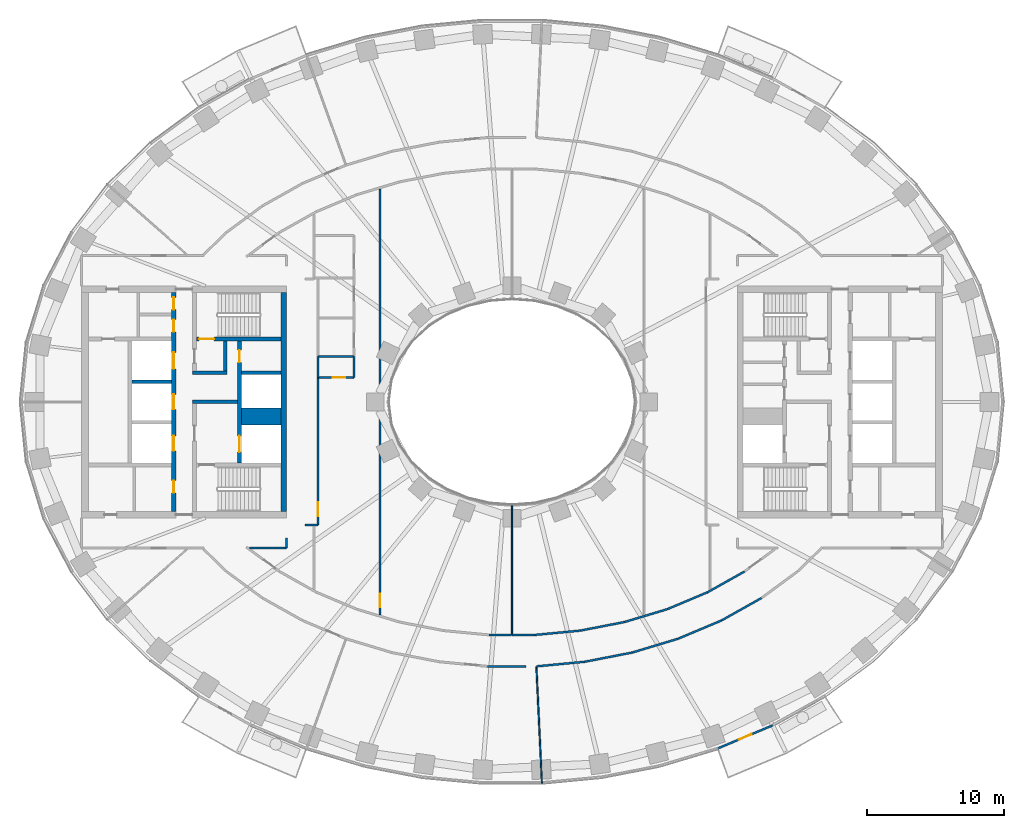
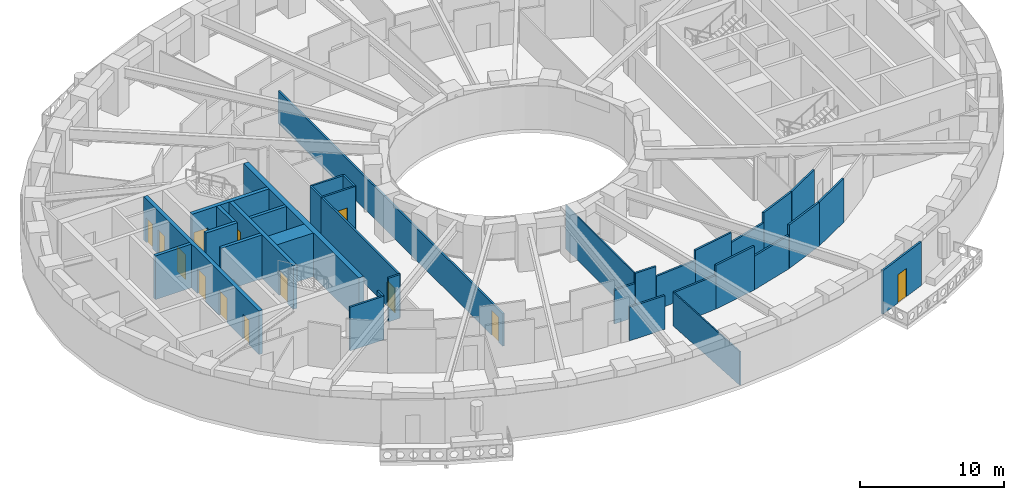
# One storey, part 4 of 16: 35 walls, 13 doors, 13 openings.
"""IFC4 building model written with IfcOpenShell, lengths in metres."""

from ifc_helpers import new_model, si_unit, direction, frame, frame_2d, origin, place, context, subcontext, project, spatial, rectangle, extrude, material, layer, layer_set, type_object, element, fill, save


model = new_model("IFC4")

# Units and contexts
model_context = context("Model", 3, precision=1e-05, world=origin(), true_north=direction((0.0, 1.0)))
body_context = subcontext(model_context, "Body", "Model", "MODEL_VIEW")
ifc_project = project(units=[si_unit("LENGTHUNIT", "METRE"), si_unit("AREAUNIT", "SQUARE_METRE"), si_unit("VOLUMEUNIT", "CUBIC_METRE"), si_unit("PLANEANGLEUNIT", "RADIAN"), si_unit("MASSUNIT", "GRAM", prefix="KILO")], contexts=[model_context])

# Site, building, storey
site_placement = place(None, origin())
site = spatial("IfcSite", under=ifc_project, at=site_placement, CompositionType="ELEMENT")
building_placement = place(site_placement, origin())
building = spatial("IfcBuilding", under=site, at=building_placement, Name="Noorbagh Ring Tower", CompositionType="ELEMENT")
storey_placement = place(building_placement, frame((0.0, 0.0, 74.5)))
storey = spatial("IfcBuildingStorey", under=building, at=storey_placement, Name="L16", CompositionType="ELEMENT", Elevation=74.5)

# Wall
ifc_material_1 = material(Name="Gypsum board on steel studs", Category="steel")
ifc_layer_1 = layer(ifc_material_1, 0.14990234375)
ifc_layer_set_1 = layer_set([ifc_layer_1], Name="Gypsum board on steel studs")
wall_type_1 = type_object("IfcWallType", Name="COMPARTMENT PARTITION 150 EI 60", PredefinedType="PARTITIONING", material=ifc_layer_set_1)
wall_1_placement = place(storey_placement, frame((-14.199951171875, 1.781982421875, 0.0), z_axis=(0.0, 0.0, 1.0), x_axis=(0.0, 1.0, 0.0)))
element("IfcWall", 1, at=wall_1_placement, inside=storey, type_object=wall_type_1, Name="L16/wall/P35", PredefinedType="PARTITIONING", context=body_context, shape_type="SweptSolid", body=[
    extrude(rectangle(XDim=1.56005859375, YDim=0.14990234375, at=frame_2d((0.780029296875, 0.0))), origin(), (0.0, 0.0, 1.0), 3.699951171875),
])

# Wall, opening, door
wall_2_placement = place(storey_placement, frame((-14.199951171875, 1.781982421875, 0.0), z_axis=(0.0, 0.0, 1.0), x_axis=(1.0, 0.0, 0.0)))
wall_2 = element("IfcWall", 2, at=wall_2_placement, inside=storey, type_object=wall_type_1, Name="L16/wall/P36", PredefinedType="PARTITIONING", context=body_context, shape_type="SweptSolid", body=[
    extrude(rectangle(XDim=2.635009765625, YDim=0.14990234375, at=frame_2d((1.3173828125, 0.0))), origin(), (0.0, 0.0, 1.0), 3.699951171875),
])
opening_1_placement = place(wall_2_placement, frame((1.0849609375, 0.0, 0.0)))
opening_1 = element("IfcOpeningElement", 3, at=opening_1_placement, cuts=wall_2, Name="Opening D4", PredefinedType="OPENING", context=body_context, shape_type="SweptSolid", body=[
    extrude(rectangle(XDim=0.89990234375, YDim=2.10009765625, at=frame_2d((0.449951171875, 1.050048828125))), frame((0.0, 0.0849609375, 0.0), z_axis=(0.0, -1.0, 0.0), x_axis=(1.0, 0.0, 0.0)), (0.0, 0.0, 1.0), 0.169921875),
])
ifc_material_2 = material(Name="Timber, painted", Category="wood")
door_type_1 = type_object("IfcDoorType", Name="DOOR 900 X 2100 FD60", OperationType="SINGLE_SWING_LEFT", PredefinedType="DOOR", material=ifc_material_2)
door_1_placement = place(opening_1_placement, origin())
door_1 = element("IfcDoor", 4, at=door_1_placement, inside=storey, type_object=door_type_1, Name="L16-D05", OperationType="SINGLE_SWING_LEFT", OverallHeight=2.10009765625, OverallWidth=0.89990234375, PredefinedType="DOOR", context=body_context, shape_type="SweptSolid", body=[
    extrude(rectangle(XDim=0.89990234375, YDim=2.10009765625, at=frame_2d((0.449951171875, 1.050048828125))), frame((0.0, 0.02490234375, 0.0), z_axis=(0.0, -1.0, 0.0), x_axis=(1.0, 0.0, 0.0)), (0.0, 0.0, 1.0), 0.050048828125),
])
fill(opening_1, door_1)

# Walls
wall_3_placement = place(storey_placement, frame((-14.199951171875, 3.342041015625, 0.0), z_axis=(0.0, 0.0, 1.0), x_axis=(1.0, 0.0, 0.0)))
element("IfcWall", 5, at=wall_3_placement, inside=storey, type_object=wall_type_1, Name="L16/wall/P38", PredefinedType="PARTITIONING", context=body_context, shape_type="SweptSolid", body=[
    extrude(rectangle(XDim=2.635009765625, YDim=0.14990234375, at=frame_2d((1.3173828125, 0.0))), origin(), (0.0, 0.0, 1.0), 3.699951171875),
])
wall_4_placement = place(storey_placement, frame((-11.56494140625, 1.781982421875, 0.0), z_axis=(0.0, 0.0, 1.0), x_axis=(0.0, 1.0, 0.0)))
element("IfcWall", 6, at=wall_4_placement, inside=storey, type_object=wall_type_1, Name="L16/wall/P42", PredefinedType="PARTITIONING", context=body_context, shape_type="SweptSolid", body=[
    extrude(rectangle(XDim=1.56005859375, YDim=0.14990234375, at=frame_2d((0.780029296875, 0.0))), origin(), (0.0, 0.0, 1.0), 3.699951171875),
])
ifc_material_3 = material(Name="Concrete C70/85", Category="concrete")
ifc_layer_2 = layer(ifc_material_3, 1.25)
ifc_layer_set_2 = layer_set([ifc_layer_2], Name="Concrete C70/85")
wall_type_2 = type_object("IfcWallType", Name="CORE-WALL-1250-C70-85-EI120", PredefinedType="SHEAR", material=ifc_layer_set_2)
wall_5_placement = place(storey_placement, frame((-16.89990234375, -1.074951171875, 0.0), z_axis=(0.0, 0.0, 1.0), x_axis=(-1.0, 0.0, 0.0)))
element("IfcWall", 7, at=wall_5_placement, inside=storey, type_object=wall_type_2, Name="Core wall W", PredefinedType="SHEAR", context=body_context, shape_type="SweptSolid", body=[
    extrude(rectangle(XDim=2.900146484375, YDim=1.25, at=frame_2d((1.4501953125, 0.0))), origin(), (0.0, 0.0, 1.0), 3.699951171875),
])
ifc_material_4 = material(Name="Concrete C70/85", Category="concrete")
ifc_layer_3 = layer(ifc_material_4, 0.25)
ifc_layer_set_3 = layer_set([ifc_layer_3], Name="Concrete C70/85")
wall_type_3 = type_object("IfcWallType", Name="CORE-WALL-250-C70-85-EI120", PredefinedType="SHEAR", material=ifc_layer_set_3)
for number, where, z_axis, x_axis, name in (
    (8, (-16.89990234375, 2.125, 0.0), (0.0, 0.0, 1.0), (-1.0, 0.0, 0.0), "Core wall W"),
    (9, (-24.89990234375, 1.47509765625, 0.0), (0.0, 0.0, 1.0), (-1.0, 0.0, 0.0), "Core wall W"),
):
    element("IfcWall", number, at=place(storey_placement, frame(where, z_axis=z_axis, x_axis=x_axis)), inside=storey, type_object=wall_type_3, Name=name, PredefinedType="SHEAR", context=body_context, shape_type="SweptSolid", body=[
        extrude(rectangle(XDim=2.900146484375, YDim=0.25, at=frame_2d((1.4501953125, 0.0))), origin(), (0.0, 0.0, 1.0), 3.699951171875),
    ])
ifc_material_5 = material(Name="Concrete C70/85", Category="concrete")
ifc_layer_4 = layer(ifc_material_5, 0.25)
ifc_layer_set_4 = layer_set([ifc_layer_4], Name="Concrete C70/85")
wall_type_4 = type_object("IfcWallType", Name="CORE-WALL-250-C70-85-EI240", PredefinedType="SHEAR", material=ifc_layer_set_4)
wall_6_placement = place(storey_placement, frame((-20.10009765625, 0.0, 0.0), z_axis=(0.0, 0.0, 1.0), x_axis=(-1.0, 0.0, 0.0)))
element("IfcWall", 10, at=wall_6_placement, inside=storey, type_object=wall_type_4, Name="Core wall W", PredefinedType="SHEAR", context=body_context, shape_type="SweptSolid", body=[
    extrude(rectangle(XDim=3.27978515625, YDim=0.25, at=frame_2d((1.639892578125, 0.0))), origin(), (0.0, 0.0, 1.0), 3.699951171875),
])
wall_7_placement = place(storey_placement, frame((-20.85009765625, 2.125, 0.0), z_axis=(0.0, 0.0, 1.0), x_axis=(-1.0, 0.0, 0.0)))
element("IfcWall", 11, at=wall_7_placement, inside=storey, type_object=wall_type_4, Name="Core wall W", PredefinedType="SHEAR", context=body_context, shape_type="SweptSolid", body=[
    extrude(rectangle(XDim=2.52978515625, YDim=0.25, at=frame_2d((1.264892578125, 0.0))), origin(), (0.0, 0.0, 1.0), 3.699951171875),
])
wall_8_placement = place(storey_placement, frame((-20.97509765625, 2.25, 0.0), z_axis=(0.0, 0.0, 1.0), x_axis=(0.0, 1.0, 0.0)))
element("IfcWall", 12, at=wall_8_placement, inside=storey, type_object=wall_type_4, Name="Core wall W", PredefinedType="SHEAR", context=body_context, shape_type="SweptSolid", body=[
    extrude(rectangle(XDim=2.199951171875, YDim=0.25, at=frame_2d((1.10009765625, 0.0))), origin(), (0.0, 0.0, 1.0), 3.699951171875),
])

# Wall, openings, doors
ifc_material_6 = material(Name="Concrete C70/85", Category="concrete")
ifc_layer_5 = layer(ifc_material_6, 0.300048828125)
ifc_layer_set_5 = layer_set([ifc_layer_5], Name="Concrete C70/85")
wall_type_5 = type_object("IfcWallType", Name="CORE-WALL-300-C70-85-EI120", PredefinedType="SHEAR", material=ifc_layer_set_5)
wall_9_placement = place(storey_placement, frame((-19.949951171875, -4.449951171875, 0.0), z_axis=(0.0, 0.0, 1.0), x_axis=(0.0, 1.0, 0.0)))
wall_9 = element("IfcWall", 13, at=wall_9_placement, inside=storey, type_object=wall_type_5, Name="Core wall W", PredefinedType="SHEAR", context=body_context, shape_type="SweptSolid", body=[
    extrude(rectangle(XDim=8.89990234375, YDim=0.300048828125, at=frame_2d((4.449951171875, 0.0))), origin(), (0.0, 0.0, 1.0), 3.699951171875),
])
opening_2_placement = place(wall_9_placement, frame((0.77490234375, 0.0, 0.0)))
opening_2 = element("IfcOpeningElement", 14, at=opening_2_placement, cuts=wall_9, Name="Opening L16-CW01", PredefinedType="OPENING", context=body_context, shape_type="SweptSolid", body=[
    extrude(rectangle(XDim=1.199951171875, YDim=2.10009765625, at=frame_2d((0.60009765625, 1.050048828125))), frame((0.0, 0.16015625, 0.0), z_axis=(0.0, -1.0, 0.0), x_axis=(1.0, 0.0, 0.0)), (0.0, 0.0, 1.0), 0.320068359375),
])
opening_3_placement = place(wall_9_placement, frame((7.35009765625, 0.0, 0.0)))
opening_3 = element("IfcOpeningElement", 15, at=opening_3_placement, cuts=wall_9, Name="Opening L16-CW11", PredefinedType="OPENING", context=body_context, shape_type="SweptSolid", body=[
    extrude(rectangle(XDim=0.89990234375, YDim=2.10009765625, at=frame_2d((0.449951171875, 1.050048828125))), frame((0.0, 0.16015625, 0.0), z_axis=(0.0, -1.0, 0.0), x_axis=(1.0, 0.0, 0.0)), (0.0, 0.0, 1.0), 0.320068359375),
])
ifc_material_7 = material(Name="Steel door leaf", Category="steel")
door_type_2 = type_object("IfcDoorType", Name="CORE-DOOR-DROOM", OperationType="SINGLE_SWING_LEFT", PredefinedType="DOOR", material=ifc_material_7)
door_2_placement = place(opening_3_placement, origin())
door_2 = element("IfcDoor", 16, at=door_2_placement, inside=storey, type_object=door_type_2, Name="Core room door L16-CW11", OperationType="SINGLE_SWING_LEFT", OverallHeight=2.10009765625, OverallWidth=0.89990234375, PredefinedType="DOOR", context=body_context, shape_type="SweptSolid", body=[
    extrude(rectangle(XDim=0.89990234375, YDim=2.10009765625, at=frame_2d((0.449951171875, 1.050048828125))), frame((0.0, 0.02490234375, 0.0), z_axis=(0.0, -1.0, 0.0), x_axis=(1.0, 0.0, 0.0)), (0.0, 0.0, 1.0), 0.050048828125),
])
fill(opening_3, door_2)
ifc_material_8 = material(Name="Steel door leaf", Category="steel")
door_type_3 = type_object("IfcDoorType", Name="CORE-DOOR-LDW", OperationType="DOUBLE_DOOR_SLIDING", PredefinedType="DOOR", material=ifc_material_8)
door_3_placement = place(opening_2_placement, origin())
door_3 = element("IfcDoor", 17, at=door_3_placement, inside=storey, type_object=door_type_3, Name="Landing door FF1 L16-CW01", OperationType="DOUBLE_DOOR_SLIDING", OverallHeight=2.10009765625, OverallWidth=1.199951171875, PredefinedType="DOOR", context=body_context, shape_type="SweptSolid", body=[
    extrude(rectangle(XDim=1.199951171875, YDim=2.10009765625, at=frame_2d((0.60009765625, 1.050048828125))), frame((0.0, 0.02490234375, 0.0), z_axis=(0.0, -1.0, 0.0), x_axis=(1.0, 0.0, 0.0)), (0.0, 0.0, 1.0), 0.050048828125),
])
fill(opening_2, door_3)

wall_10_placement = place(storey_placement, frame((-24.75, -8.0, 0.0), z_axis=(0.0, 0.0, 1.0), x_axis=(0.0, 1.0, 0.0)))
wall_10 = element("IfcWall", 18, at=wall_10_placement, inside=storey, type_object=wall_type_5, Name="Core wall W", PredefinedType="SHEAR", context=body_context, shape_type="SweptSolid", body=[
    extrude(rectangle(XDim=16.0, YDim=0.300048828125, at=frame_2d((8.0, 0.0))), origin(), (0.0, 0.0, 1.0), 3.699951171875),
])
opening_4_placement = place(wall_10_placement, frame((4.425048828125, 0.0, 0.0)))
opening_4 = element("IfcOpeningElement", 19, at=opening_4_placement, cuts=wall_10, Name="Opening L16-CW02", PredefinedType="OPENING", context=body_context, shape_type="SweptSolid", body=[
    extrude(rectangle(XDim=1.10009765625, YDim=2.10009765625, at=frame_2d((0.550048828125, 1.050048828125))), frame((0.0, 0.16015625, 0.0), z_axis=(0.0, -1.0, 0.0), x_axis=(1.0, 0.0, 0.0)), (0.0, 0.0, 1.0), 0.320068359375),
])
opening_5_placement = place(wall_10_placement, frame((7.449951171875, 0.0, 0.0)))
opening_5 = element("IfcOpeningElement", 20, at=opening_5_placement, cuts=wall_10, Name="Opening L16-CW03", PredefinedType="OPENING", context=body_context, shape_type="SweptSolid", body=[
    extrude(rectangle(XDim=1.10009765625, YDim=2.10009765625, at=frame_2d((0.550048828125, 1.050048828125))), frame((0.0, 0.16015625, 0.0), z_axis=(0.0, -1.0, 0.0), x_axis=(1.0, 0.0, 0.0)), (0.0, 0.0, 1.0), 0.320068359375),
])
opening_6_placement = place(wall_10_placement, frame((10.425048828125, 0.0, 0.0)))
opening_6 = element("IfcOpeningElement", 21, at=opening_6_placement, cuts=wall_10, Name="Opening L16-CW04", PredefinedType="OPENING", context=body_context, shape_type="SweptSolid", body=[
    extrude(rectangle(XDim=1.199951171875, YDim=2.10009765625, at=frame_2d((0.60009765625, 1.050048828125))), frame((0.0, 0.16015625, 0.0), z_axis=(0.0, -1.0, 0.0), x_axis=(1.0, 0.0, 0.0)), (0.0, 0.0, 1.0), 0.320068359375),
])
opening_7_placement = place(wall_10_placement, frame((13.125, 0.0, 0.0)))
opening_7 = element("IfcOpeningElement", 22, at=opening_7_placement, cuts=wall_10, Name="Opening L16-CW12", PredefinedType="OPENING", context=body_context, shape_type="SweptSolid", body=[
    extrude(rectangle(XDim=0.89990234375, YDim=2.10009765625, at=frame_2d((0.449951171875, 1.050048828125))), frame((0.0, 0.16015625, 0.0), z_axis=(0.0, -1.0, 0.0), x_axis=(1.0, 0.0, 0.0)), (0.0, 0.0, 1.0), 0.320068359375),
])
opening_8_placement = place(wall_10_placement, frame((14.75, 0.0, 0.0)))
opening_8 = element("IfcOpeningElement", 23, at=opening_8_placement, cuts=wall_10, Name="Opening L16-CW13", PredefinedType="OPENING", context=body_context, shape_type="SweptSolid", body=[
    extrude(rectangle(XDim=0.89990234375, YDim=2.10009765625, at=frame_2d((0.449951171875, 1.050048828125))), frame((0.0, 0.16015625, 0.0), z_axis=(0.0, -1.0, 0.0), x_axis=(1.0, 0.0, 0.0)), (0.0, 0.0, 1.0), 0.320068359375),
])
opening_9_placement = place(wall_10_placement, frame((1.35009765625, 0.0, 0.0)))
opening_9 = element("IfcOpeningElement", 24, at=opening_9_placement, cuts=wall_10, Name="Opening L16-CW15", PredefinedType="OPENING", context=body_context, shape_type="SweptSolid", body=[
    extrude(rectangle(XDim=0.89990234375, YDim=2.10009765625, at=frame_2d((0.449951171875, 1.050048828125))), frame((0.0, 0.16015625, 0.0), z_axis=(0.0, -1.0, 0.0), x_axis=(1.0, 0.0, 0.0)), (0.0, 0.0, 1.0), 0.320068359375),
])
door_4_placement = place(opening_7_placement, origin())
door_4 = element("IfcDoor", 25, at=door_4_placement, inside=storey, type_object=door_type_2, Name="Core room door L16-CW12", OperationType="SINGLE_SWING_LEFT", OverallHeight=2.10009765625, OverallWidth=0.89990234375, PredefinedType="DOOR", context=body_context, shape_type="SweptSolid", body=[
    extrude(rectangle(XDim=0.89990234375, YDim=2.10009765625, at=frame_2d((0.449951171875, 1.050048828125))), frame((0.0, 0.02490234375, 0.0), z_axis=(0.0, -1.0, 0.0), x_axis=(1.0, 0.0, 0.0)), (0.0, 0.0, 1.0), 0.050048828125),
])
fill(opening_7, door_4)
door_5_placement = place(opening_8_placement, origin())
door_5 = element("IfcDoor", 26, at=door_5_placement, inside=storey, type_object=door_type_2, Name="Core room door L16-CW13", OperationType="SINGLE_SWING_RIGHT", OverallHeight=2.10009765625, OverallWidth=0.89990234375, PredefinedType="DOOR", context=body_context, shape_type="SweptSolid", body=[
    extrude(rectangle(XDim=0.89990234375, YDim=2.10009765625, at=frame_2d((0.449951171875, 1.050048828125))), frame((0.0, 0.02490234375, 0.0), z_axis=(0.0, -1.0, 0.0), x_axis=(1.0, 0.0, 0.0)), (0.0, 0.0, 1.0), 0.050048828125),
])
fill(opening_8, door_5)
door_6_placement = place(opening_9_placement, origin())
door_6 = element("IfcDoor", 27, at=door_6_placement, inside=storey, type_object=door_type_2, Name="Core room door L16-CW15", OperationType="SINGLE_SWING_LEFT", OverallHeight=2.10009765625, OverallWidth=0.89990234375, PredefinedType="DOOR", context=body_context, shape_type="SweptSolid", body=[
    extrude(rectangle(XDim=0.89990234375, YDim=2.10009765625, at=frame_2d((0.449951171875, 1.050048828125))), frame((0.0, 0.02490234375, 0.0), z_axis=(0.0, -1.0, 0.0), x_axis=(1.0, 0.0, 0.0)), (0.0, 0.0, 1.0), 0.050048828125),
])
fill(opening_9, door_6)
ifc_material_9 = material(Name="Steel door leaf", Category="steel")
door_type_4 = type_object("IfcDoorType", Name="CORE-DOOR-LD", OperationType="DOUBLE_DOOR_SLIDING", PredefinedType="DOOR", material=ifc_material_9)
door_7_placement = place(opening_4_placement, origin())
door_7 = element("IfcDoor", 28, at=door_7_placement, inside=storey, type_object=door_type_4, Name="Landing door LR1 L16-CW02", OperationType="DOUBLE_DOOR_SLIDING", OverallHeight=2.10009765625, OverallWidth=1.10009765625, PredefinedType="DOOR", context=body_context, shape_type="SweptSolid", body=[
    extrude(rectangle(XDim=1.10009765625, YDim=2.10009765625, at=frame_2d((0.550048828125, 1.050048828125))), frame((0.0, 0.02490234375, 0.0), z_axis=(0.0, -1.0, 0.0), x_axis=(1.0, 0.0, 0.0)), (0.0, 0.0, 1.0), 0.050048828125),
])
fill(opening_4, door_7)
door_8_placement = place(opening_5_placement, origin())
door_8 = element("IfcDoor", 29, at=door_8_placement, inside=storey, type_object=door_type_4, Name="Landing door LR2 L16-CW03", OperationType="DOUBLE_DOOR_SLIDING", OverallHeight=2.10009765625, OverallWidth=1.10009765625, PredefinedType="DOOR", context=body_context, shape_type="SweptSolid", body=[
    extrude(rectangle(XDim=1.10009765625, YDim=2.10009765625, at=frame_2d((0.550048828125, 1.050048828125))), frame((0.0, 0.02490234375, 0.0), z_axis=(0.0, -1.0, 0.0), x_axis=(1.0, 0.0, 0.0)), (0.0, 0.0, 1.0), 0.050048828125),
])
fill(opening_5, door_8)
door_9_placement = place(opening_6_placement, origin())
door_9 = element("IfcDoor", 30, at=door_9_placement, inside=storey, type_object=door_type_3, Name="Landing door SV1 L16-CW04", OperationType="DOUBLE_DOOR_SLIDING", OverallHeight=2.10009765625, OverallWidth=1.199951171875, PredefinedType="DOOR", context=body_context, shape_type="SweptSolid", body=[
    extrude(rectangle(XDim=1.199951171875, YDim=2.10009765625, at=frame_2d((0.60009765625, 1.050048828125))), frame((0.0, 0.02490234375, 0.0), z_axis=(0.0, -1.0, 0.0), x_axis=(1.0, 0.0, 0.0)), (0.0, 0.0, 1.0), 0.050048828125),
])
fill(opening_6, door_9)

# Wall, opening, door
ifc_material_10 = material(Name="Concrete C70/85", Category="concrete")
ifc_layer_6 = layer(ifc_material_10, 0.300048828125)
ifc_layer_set_6 = layer_set([ifc_layer_6], Name="Concrete C70/85")
wall_type_6 = type_object("IfcWallType", Name="CORE-WALL-300-C70-85-EI240", PredefinedType="SHEAR", material=ifc_layer_set_6)
wall_11_placement = place(storey_placement, frame((-16.89990234375, 4.60009765625, 0.0), z_axis=(0.0, 0.0, 1.0), x_axis=(-1.0, 0.0, 0.0)))
wall_11 = element("IfcWall", 31, at=wall_11_placement, inside=storey, type_object=wall_type_6, Name="Core wall W", PredefinedType="SHEAR", context=body_context, shape_type="SweptSolid", body=[
    extrude(rectangle(XDim=6.18017578125, YDim=0.300048828125, at=frame_2d((3.090087890625, 0.0))), origin(), (0.0, 0.0, 1.0), 3.699951171875),
])
opening_10_placement = place(wall_11_placement, frame((4.89990234375, 0.0, 0.0)))
opening_10 = element("IfcOpeningElement", 32, at=opening_10_placement, cuts=wall_11, Name="Opening L16-CW05", PredefinedType="OPENING", context=body_context, shape_type="SweptSolid", body=[
    extrude(rectangle(XDim=1.10009765625, YDim=2.10009765625, at=frame_2d((0.550048828125, 1.050048828125))), frame((0.0, 0.16015625, 0.0), z_axis=(0.0, -1.0, 0.0), x_axis=(1.0, 0.0, 0.0)), (0.0, 0.0, 1.0), 0.320068359375),
])
ifc_material_11 = material(Name="Steel door leaf", Category="steel")
door_type_5 = type_object("IfcDoorType", Name="CORE-DOOR-DSTAIR", OperationType="SINGLE_SWING_LEFT", PredefinedType="DOOR", material=ifc_material_11)
door_10_placement = place(opening_10_placement, origin())
door_10 = element("IfcDoor", 33, at=door_10_placement, inside=storey, type_object=door_type_5, Name="Stair door ST1 L16-CW05", OperationType="SINGLE_SWING_RIGHT", OverallHeight=2.10009765625, OverallWidth=1.10009765625, PredefinedType="DOOR", context=body_context, shape_type="SweptSolid", body=[
    extrude(rectangle(XDim=1.10009765625, YDim=2.10009765625, at=frame_2d((0.550048828125, 1.050048828125))), frame((0.0, 0.02490234375, 0.0), z_axis=(0.0, -1.0, 0.0), x_axis=(1.0, 0.0, 0.0)), (0.0, 0.0, 1.0), 0.050048828125),
])
fill(opening_10, door_10)

# Walls
ifc_material_12 = material(Name="Concrete C70/85", Category="concrete")
ifc_layer_7 = layer(ifc_material_12, 0.39990234375)
ifc_layer_set_7 = layer_set([ifc_layer_7], Name="Concrete C70/85")
wall_type_7 = type_object("IfcWallType", Name="CORE-WALL-400-C70-85-EI240", PredefinedType="SHEAR", material=ifc_layer_set_7)
wall_12_placement = place(storey_placement, frame((-16.699951171875, -8.0, 0.0), z_axis=(0.0, 0.0, 1.0), x_axis=(0.0, 1.0, 0.0)))
element("IfcWall", 34, at=wall_12_placement, inside=storey, type_object=wall_type_7, Name="Core wall W", PredefinedType="SHEAR", context=body_context, shape_type="SweptSolid", body=[
    extrude(rectangle(XDim=16.0, YDim=0.39990234375, at=frame_2d((8.0, 0.0))), origin(), (0.0, 0.0, 1.0), 3.699951171875),
])
ifc_material_13 = material(Name="Gypsum board on steel studs", Category="steel")
ifc_layer_8 = layer(ifc_material_13, 0.14990234375)
ifc_layer_set_8 = layer_set([ifc_layer_8], Name="Gypsum board on steel studs")
wall_type_8 = type_object("IfcWallType", Name="CORRIDOR PARTITION 150 EI 30", PredefinedType="PARTITIONING", material=ifc_layer_set_8)
wall_13_placement = place(storey_placement, frame((-19.202880859375, -10.699951171875, 0.0), z_axis=(0.0, 0.0, 1.0), x_axis=(1.0, 0.0, 0.0)))
element("IfcWall", 35, at=wall_13_placement, inside=storey, type_object=wall_type_8, Name="L16/wall/P13", PredefinedType="PARTITIONING", context=body_context, shape_type="SweptSolid", body=[
    extrude(rectangle(XDim=2.702880859375, YDim=0.14990234375, at=frame_2d((1.3515625, 0.0))), origin(), (0.0, 0.0, 1.0), 3.699951171875),
])
wall_14_placement = place(storey_placement, frame((-16.5, -10.699951171875, 0.0), z_axis=(0.0, 0.0, 1.0), x_axis=(0.0, 1.0, 0.0)))
element("IfcWall", 36, at=wall_14_placement, inside=storey, type_object=wall_type_8, Name="L16/wall/P20", PredefinedType="PARTITIONING", context=body_context, shape_type="SweptSolid", body=[
    extrude(rectangle(XDim=0.73583984375, YDim=0.14990234375, at=frame_2d((0.367919921875, 0.0))), origin(), (0.0, 0.0, 1.0), 3.699951171875),
])
wall_15_placement = place(storey_placement, frame((-15.134033203125, -9.0, 0.0), z_axis=(0.0, 0.0, 1.0), x_axis=(1.0, 0.0, 0.0)))
element("IfcWall", 37, at=wall_15_placement, inside=storey, type_object=wall_type_8, Name="L16/wall/P24", PredefinedType="PARTITIONING", context=body_context, shape_type="SweptSolid", body=[
    extrude(rectangle(XDim=0.93408203125, YDim=0.14990234375, at=frame_2d((0.467041015625, 0.0))), origin(), (0.0, 0.0, 1.0), 3.699951171875),
])

# Wall, opening, door
wall_16_placement = place(storey_placement, frame((-14.199951171875, -9.0, 0.0), z_axis=(0.0, 0.0, 1.0), x_axis=(0.0, 1.0, 0.0)))
wall_16 = element("IfcWall", 38, at=wall_16_placement, inside=storey, type_object=wall_type_8, Name="L16/wall/P34", PredefinedType="PARTITIONING", context=body_context, shape_type="SweptSolid", body=[
    extrude(rectangle(XDim=10.781982421875, YDim=0.14990234375, at=frame_2d((5.39111328125, 0.0))), origin(), (0.0, 0.0, 1.0), 3.699951171875),
])
opening_11_placement = place(wall_16_placement, frame((0.64990234375, 0.0, 0.0)))
opening_11 = element("IfcOpeningElement", 39, at=opening_11_placement, cuts=wall_16, Name="Opening D1", PredefinedType="OPENING", context=body_context, shape_type="SweptSolid", body=[
    extrude(rectangle(XDim=1.0, YDim=2.10009765625, at=frame_2d((0.5, 1.050048828125))), frame((0.0, 0.0849609375, 0.0), z_axis=(0.0, -1.0, 0.0), x_axis=(1.0, 0.0, 0.0)), (0.0, 0.0, 1.0), 0.169921875),
])
ifc_material_14 = material(Name="Timber, painted", Category="wood")
door_type_6 = type_object("IfcDoorType", Name="DOOR 1000 X 2100 FD30", OperationType="SINGLE_SWING_LEFT", PredefinedType="DOOR", material=ifc_material_14)
door_11_placement = place(opening_11_placement, origin())
door_11 = element("IfcDoor", 40, at=door_11_placement, inside=storey, type_object=door_type_6, Name="L16-D01", OperationType="SINGLE_SWING_LEFT", OverallHeight=2.10009765625, OverallWidth=1.0, PredefinedType="DOOR", context=body_context, shape_type="SweptSolid", body=[
    extrude(rectangle(XDim=1.0, YDim=2.10009765625, at=frame_2d((0.5, 1.050048828125))), frame((0.0, 0.02490234375, 0.0), z_axis=(0.0, -1.0, 0.0), x_axis=(1.0, 0.0, 0.0)), (0.0, 0.0, 1.0), 0.050048828125),
])
fill(opening_11, door_11)

wall_17_placement = place(storey_placement, frame((-9.6650390625, -15.591064453125, 0.0), z_axis=(0.0, 0.0, 1.0), x_axis=(0.0, 1.0, 0.0)))
wall_17 = element("IfcWall", 41, at=wall_17_placement, inside=storey, type_object=wall_type_8, Name="L16/wall/P46", PredefinedType="PARTITIONING", context=body_context, shape_type="SweptSolid", body=[
    extrude(rectangle(XDim=31.18212890625, YDim=0.14990234375, at=frame_2d((15.591064453125, 0.0))), origin(), (0.0, 0.0, 1.0), 2.75),
])
opening_12_placement = place(wall_17_placement, frame((0.572021484375, 0.0, 0.0)))
opening_12 = element("IfcOpeningElement", 42, at=opening_12_placement, cuts=wall_17, Name="Opening D1", PredefinedType="OPENING", context=body_context, shape_type="SweptSolid", body=[
    extrude(rectangle(XDim=1.0, YDim=2.10009765625, at=frame_2d((0.5, 1.050048828125))), frame((0.0, 0.0849609375, 0.0), z_axis=(0.0, -1.0, 0.0), x_axis=(1.0, 0.0, 0.0)), (0.0, 0.0, 1.0), 0.169921875),
])
door_12_placement = place(opening_12_placement, origin())
door_12 = element("IfcDoor", 43, at=door_12_placement, inside=storey, type_object=door_type_6, Name="L16-D17", OperationType="SINGLE_SWING_LEFT", OverallHeight=2.10009765625, OverallWidth=1.0, PredefinedType="DOOR", context=body_context, shape_type="SweptSolid", body=[
    extrude(rectangle(XDim=1.0, YDim=2.10009765625, at=frame_2d((0.5, 1.050048828125))), frame((0.0, 0.02490234375, 0.0), z_axis=(0.0, -1.0, 0.0), x_axis=(1.0, 0.0, 0.0)), (0.0, 0.0, 1.0), 0.050048828125),
])
fill(opening_12, door_12)

# Walls
wall_18_placement = place(storey_placement, frame((-1.783935546875, -19.347900390625, 0.0), z_axis=(0.0, 0.0, 1.0), x_axis=(1.0, 0.0, 0.0)))
element("IfcWall", 44, at=wall_18_placement, inside=storey, type_object=wall_type_8, Name="L16/wall/P55", PredefinedType="PARTITIONING", context=body_context, shape_type="SweptSolid", body=[
    extrude(rectangle(XDim=2.821044921875, YDim=0.14990234375, at=frame_2d((1.41064453125, 0.0))), origin(), (0.0, 0.0, 1.0), 2.85009765625),
])
wall_19_placement = place(storey_placement, frame((-1.674072265625, -17.048095703125, 0.0), z_axis=(0.0, 0.0, 1.0), x_axis=(1.0, 0.0, 0.0)))
element("IfcWall", 45, at=wall_19_placement, inside=storey, type_object=wall_type_8, Name="L16/wall/P57", PredefinedType="PARTITIONING", context=body_context, shape_type="SweptSolid", body=[
    extrude(rectangle(XDim=1.654052734375, YDim=0.14990234375, at=frame_2d((0.8271484375, 0.0))), origin(), (0.0, 0.0, 1.0), 2.85009765625),
])
wall_20_placement = place(storey_placement, frame((0.0, -17.048095703125, 0.0), z_axis=(0.0, 0.0, 1.0), x_axis=(1.0, 0.0, 0.0)))
element("IfcWall", 46, at=wall_20_placement, inside=storey, type_object=wall_type_8, Name="L16/wall/P59", PredefinedType="PARTITIONING", context=body_context, shape_type="SweptSolid", body=[
    extrude(rectangle(XDim=1.674072265625, YDim=0.14990234375, at=frame_2d((0.8369140625, 0.0))), origin(), (0.0, 0.0, 1.0), 3.699951171875),
])
wall_21_placement = place(storey_placement, frame((1.674072265625, -17.048095703125, 0.0), z_axis=(0.0, 0.0, 1.0), x_axis=(0.995479356205, 0.094978162593, 0.0)))
element("IfcWall", 47, at=wall_21_placement, inside=storey, type_object=wall_type_8, Name="L16/wall/P63", PredefinedType="PARTITIONING", context=body_context, shape_type="SweptSolid", body=[
    extrude(rectangle(XDim=3.339111328125, YDim=0.14990234375, at=frame_2d((1.66943359375, 0.0))), origin(), (0.0, 0.0, 1.0), 2.85009765625),
])
wall_22_placement = place(storey_placement, frame((1.803955078125, -19.345947265625, 0.0), z_axis=(0.0, 0.0, 1.0), x_axis=(0.99548678928, 0.094900223226, 0.0)))
element("IfcWall", 48, at=wall_22_placement, inside=storey, type_object=wall_type_8, Name="L16/wall/P67", PredefinedType="PARTITIONING", context=body_context, shape_type="SweptSolid", body=[
    extrude(rectangle(XDim=3.539794921875, YDim=0.14990234375, at=frame_2d((1.77001953125, 0.0))), origin(), (0.0, 0.0, 1.0), 2.85009765625),
])
wall_23_placement = place(storey_placement, frame((4.998046875, -16.73095703125, 0.0), z_axis=(0.0, 0.0, 1.0), x_axis=(0.981621529558, 0.190838079815, 0.0)))
element("IfcWall", 49, at=wall_23_placement, inside=storey, type_object=wall_type_8, Name="L16/wall/P69", PredefinedType="PARTITIONING", context=body_context, shape_type="SweptSolid", body=[
    extrude(rectangle(XDim=3.310791015625, YDim=0.14990234375, at=frame_2d((1.6552734375, 0.0))), origin(), (0.0, 0.0, 1.0), 3.699951171875),
])
wall_24_placement = place(storey_placement, frame((5.327880859375, -19.010009765625, 0.0), z_axis=(0.0, 0.0, 1.0), x_axis=(0.981620418387, 0.190843795306, 0.0)))
element("IfcWall", 50, at=wall_24_placement, inside=storey, type_object=wall_type_8, Name="L16/wall/P71", PredefinedType="PARTITIONING", context=body_context, shape_type="SweptSolid", body=[
    extrude(rectangle(XDim=3.537109375, YDim=0.14990234375, at=frame_2d((1.7685546875, 0.0))), origin(), (0.0, 0.0, 1.0), 3.699951171875),
])
wall_25_placement = place(storey_placement, frame((8.248046875, -16.09912109375, 0.0), z_axis=(0.0, 0.0, 1.0), x_axis=(0.95757464185, 0.28818536619, 0.0)))
element("IfcWall", 51, at=wall_25_placement, inside=storey, type_object=wall_type_8, Name="L16/wall/P73", PredefinedType="PARTITIONING", context=body_context, shape_type="SweptSolid", body=[
    extrude(rectangle(XDim=3.262451171875, YDim=0.14990234375, at=frame_2d((1.63134765625, 0.0))), origin(), (0.0, 0.0, 1.0), 2.85009765625),
])
wall_26_placement = place(storey_placement, frame((8.800048828125, -18.3349609375, 0.0), z_axis=(0.0, 0.0, 1.0), x_axis=(0.957528149021, 0.288339806186, 0.0)))
element("IfcWall", 52, at=wall_26_placement, inside=storey, type_object=wall_type_8, Name="L16/wall/P75", PredefinedType="PARTITIONING", context=body_context, shape_type="SweptSolid", body=[
    extrude(rectangle(XDim=3.49951171875, YDim=0.14990234375, at=frame_2d((1.749755859375, 0.0))), origin(), (0.0, 0.0, 1.0), 2.85009765625),
])
wall_27_placement = place(storey_placement, frame((11.3720703125, -15.158935546875, 0.0), z_axis=(0.0, 0.0, 1.0), x_axis=(0.921799502591, 0.387666966638, 0.0)))
element("IfcWall", 53, at=wall_27_placement, inside=storey, type_object=wall_type_8, Name="L16/wall/P78", PredefinedType="PARTITIONING", context=body_context, shape_type="SweptSolid", body=[
    extrude(rectangle(XDim=3.1904296875, YDim=0.14990234375, at=frame_2d((1.59521484375, 0.0))), origin(), (0.0, 0.0, 1.0), 3.699951171875),
])
wall_28_placement = place(storey_placement, frame((12.15087890625, -17.325927734375, 0.0), z_axis=(0.0, 0.0, 1.0), x_axis=(0.921891448612, 0.387448263612, 0.0)))
element("IfcWall", 54, at=wall_28_placement, inside=storey, type_object=wall_type_8, Name="L16/wall/P80", PredefinedType="PARTITIONING", context=body_context, shape_type="SweptSolid", body=[
    extrude(rectangle(XDim=3.443115234375, YDim=0.14990234375, at=frame_2d((1.7216796875, 0.0))), origin(), (0.0, 0.0, 1.0), 3.699951171875),
])
wall_29_placement = place(storey_placement, frame((14.31298828125, -13.922119140625, 0.0), z_axis=(0.0, 0.0, 1.0), x_axis=(0.871977874087, 0.489545286059, 0.0)))
element("IfcWall", 55, at=wall_29_placement, inside=storey, type_object=wall_type_8, Name="L16/wall/P85", PredefinedType="PARTITIONING", context=body_context, shape_type="SweptSolid", body=[
    extrude(rectangle(XDim=3.093017578125, YDim=0.14990234375, at=frame_2d((1.54638671875, 0.0))), origin(), (0.0, 0.0, 1.0), 3.699951171875),
])
wall_30_placement = place(storey_placement, frame((15.324951171875, -15.991943359375, 0.0), z_axis=(0.0, 0.0, 1.0), x_axis=(0.871958798398, 0.489579262118, 0.0)))
element("IfcWall", 56, at=wall_30_placement, inside=storey, type_object=wall_type_8, Name="L16/wall/P89", PredefinedType="PARTITIONING", context=body_context, shape_type="SweptSolid", body=[
    extrude(rectangle(XDim=3.365966796875, YDim=0.14990234375, at=frame_2d((1.68310546875, 0.0))), origin(), (0.0, 0.0, 1.0), 3.699951171875),
])

# Wall, opening, door
ifc_material_15 = material(Name="Insulated aluminium clad panel", Category="aluminium")
ifc_layer_9 = layer(ifc_material_15, 0.14990234375)
ifc_layer_set_9 = layer_set([ifc_layer_9], Name="Insulated aluminium clad panel")
wall_type_9 = type_object("IfcWallType", Name="ENV-WALL-DOOR", PredefinedType="STANDARD", material=ifc_layer_set_9)
wall_31_placement = place(storey_placement, frame((15.017822265625, -25.368896484375, 0.0), z_axis=(0.0, 0.0, 1.0), x_axis=(0.921816985161, 0.387625393736, 0.0)))
wall_31 = element("IfcWall", 57, at=wall_31_placement, inside=storey, type_object=wall_type_9, Name="Balcony door wall chord 39", PredefinedType="STANDARD", context=body_context, shape_type="SweptSolid", body=[
    extrude(rectangle(XDim=4.42578125, YDim=0.14990234375, at=frame_2d((2.212890625, 0.0))), origin(), (0.0, 0.0, 1.0), 3.699951171875),
])
opening_13_placement = place(wall_31_placement, frame((1.712890625, 0.0, 0.0)))
opening_13 = element("IfcOpeningElement", 58, at=opening_13_placement, cuts=wall_31, Name="Opening D-BL", PredefinedType="OPENING", context=body_context, shape_type="SweptSolid", body=[
    extrude(rectangle(XDim=1.0, YDim=2.39990234375, at=frame_2d((0.5, 1.199951171875))), frame((0.0, 0.0849609375, 0.0), z_axis=(0.0, -1.0, 0.0), x_axis=(1.0, 0.0, 0.0)), (0.0, 0.0, 1.0), 0.169921875),
])
ifc_material_16 = material(Name="Aluminium and glass", Category="aluminium")
door_type_7 = type_object("IfcDoorType", Name="ENV-DOOR-BALCONY", OperationType="SINGLE_SWING_LEFT", PredefinedType="DOOR", material=ifc_material_16)
door_13_placement = place(opening_13_placement, origin())
door_13 = element("IfcDoor", 59, at=door_13_placement, inside=storey, type_object=door_type_7, Name="Balcony door chord 39", OperationType="SINGLE_SWING_LEFT", OverallHeight=2.39990234375, OverallWidth=1.0, PredefinedType="DOOR", context=body_context, shape_type="SweptSolid", body=[
    extrude(rectangle(XDim=1.0, YDim=2.39990234375, at=frame_2d((0.5, 1.199951171875))), frame((0.0, 0.02490234375, 0.0), z_axis=(0.0, -1.0, 0.0), x_axis=(1.0, 0.0, 0.0)), (0.0, 0.0, 1.0), 0.050048828125),
])
fill(opening_13, door_13)

# Walls
ifc_material_17 = material(Name="Gypsum board on steel studs", Category="steel")
ifc_layer_10 = layer(ifc_material_17, 0.10009765625)
ifc_layer_set_10 = layer_set([ifc_layer_10], Name="Gypsum board on steel studs")
wall_type_10 = type_object("IfcWallType", Name="PARTITION 100 GYPSUM", PredefinedType="PARTITIONING", material=ifc_layer_set_10)
wall_32_placement = place(storey_placement, frame((0.0, -17.0439453125, 0.0), z_axis=(0.0, 0.0, 1.0), x_axis=(0.0, 1.0, 0.0)))
element("IfcWall", 60, at=wall_32_placement, inside=storey, type_object=wall_type_10, Name="L16/wall/P60", PredefinedType="PARTITIONING", context=body_context, shape_type="SweptSolid", body=[
    extrude(rectangle(XDim=9.5400390625, YDim=0.10009765625, at=frame_2d((4.77001953125, 0.0))), origin(), (0.0, 0.0, 1.0), 3.699951171875),
])
wall_33_placement = place(storey_placement, frame((1.784912109375, -19.365966796875, 0.0), z_axis=(0.0, 0.0, 1.0), x_axis=(0.047190335266, -0.998885915537, 0.0)))
element("IfcWall", 61, at=wall_33_placement, inside=storey, type_object=wall_type_10, Name="L16/wall/P65", PredefinedType="PARTITIONING", context=body_context, shape_type="SweptSolid", body=[
    extrude(rectangle(XDim=8.54150390625, YDim=0.10009765625, at=frame_2d((4.270751953125, 0.0))), origin(), (0.0, 0.0, 1.0), 2.85009765625),
])

save(model, "model.ifc")
